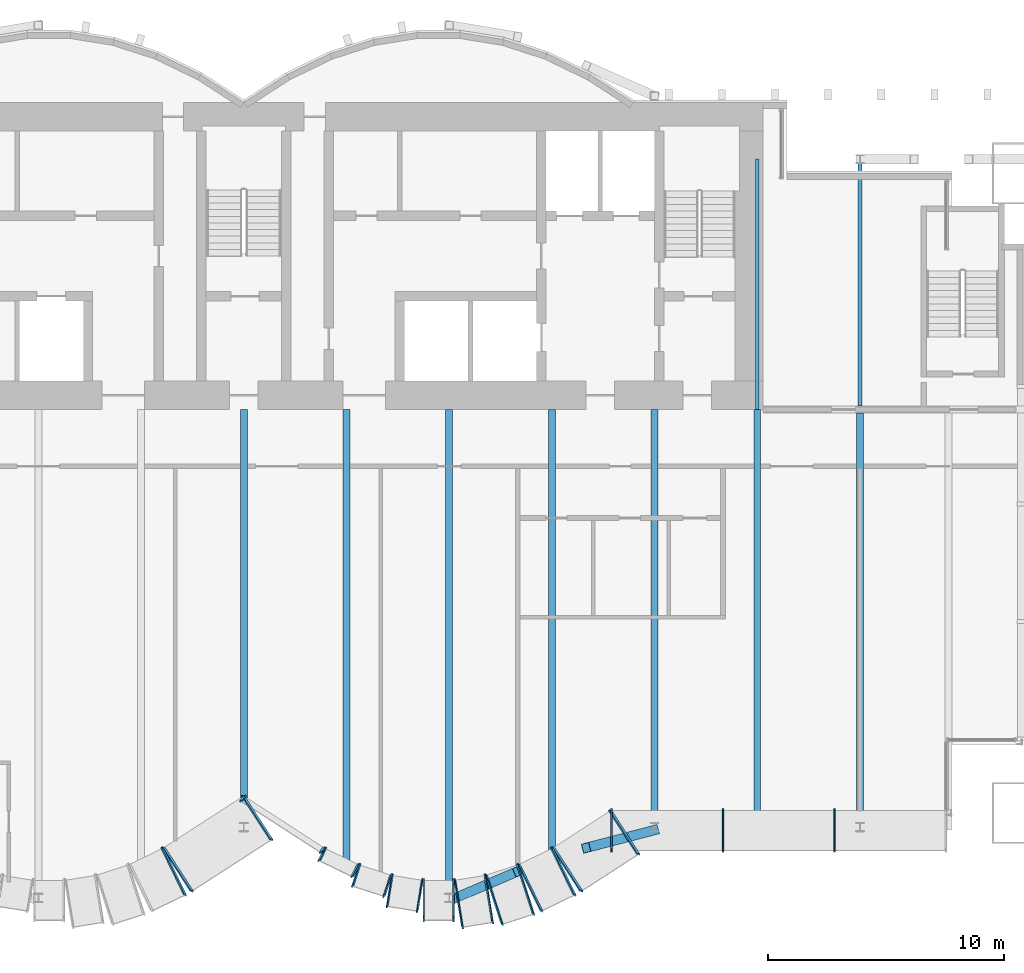
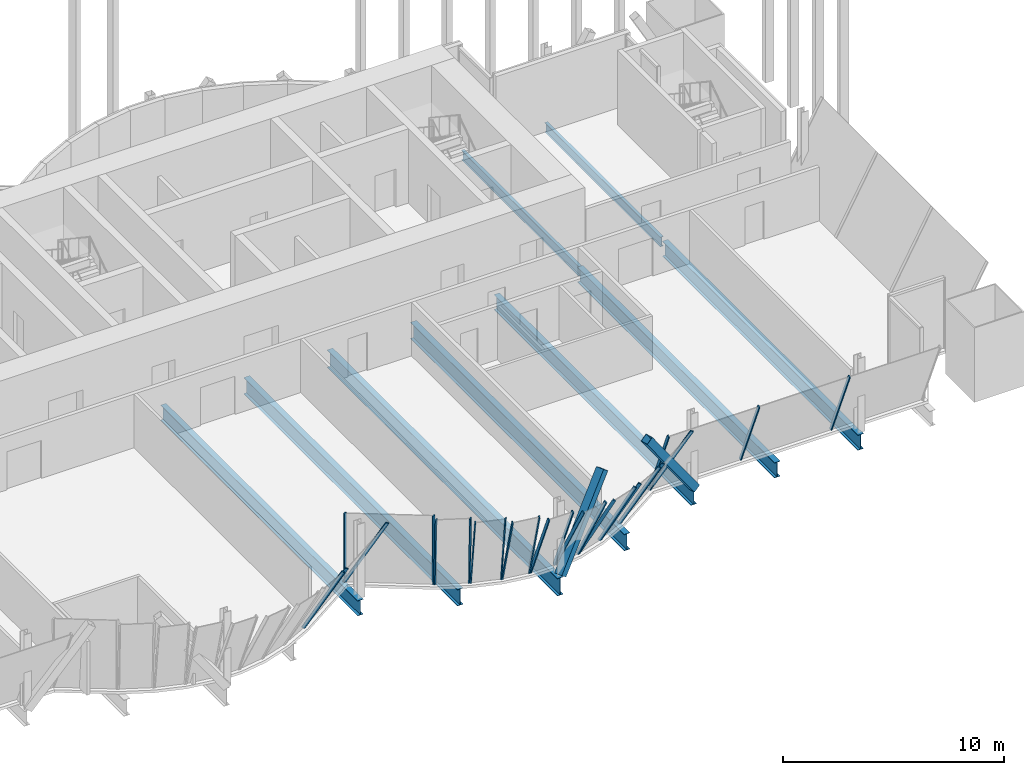
# One storey, part 12 of 29: 26 members, 9 beams, 12 elements without a shape of their own.
"""IFC4 building model written with IfcOpenShell, lengths in metres."""

from ifc_helpers import new_model, si_unit, direction, frame, origin, origin_2d, place, context, subcontext, project, spatial, rectangle, hollow_rectangle, i_section, extrude, material, material_profile, profile_set, type_object, element, aggregate, save


model = new_model("IFC4")

# Units and contexts
model_context = context("Model", 3, precision=1e-05, world=origin(), true_north=direction((0.0, 1.0)))
body_context = subcontext(model_context, "Body", "Model", "MODEL_VIEW")
ifc_project = project(units=[si_unit("LENGTHUNIT", "METRE"), si_unit("AREAUNIT", "SQUARE_METRE"), si_unit("VOLUMEUNIT", "CUBIC_METRE"), si_unit("PLANEANGLEUNIT", "RADIAN"), si_unit("MASSUNIT", "GRAM", prefix="KILO")], contexts=[model_context])

# Site, building, storey
site_placement = place(None, origin())
site = spatial("IfcSite", under=ifc_project, at=site_placement, CompositionType="ELEMENT")
building_placement = place(site_placement, origin())
building = spatial("IfcBuilding", under=site, at=building_placement, Name="Bicima Exchange Tower", CompositionType="ELEMENT")
storey_placement = place(building_placement, frame((0.0, 0.0, 190.89990234375)))
storey = spatial("IfcBuildingStorey", under=building, at=storey_placement, Name="L42", CompositionType="ELEMENT", Elevation=190.89990234375)

# Beams
ifc_material_1 = material(Name="Steel ASTM A992 Gr 50", Category="steel")
ifc_material_profile_1 = material_profile(ifc_material_1, i_section(OverallWidth=0.165771484375, OverallDepth=0.5283203125, WebThickness=0.009765625, FlangeThickness=0.013671875, at=origin_2d()))
ifc_profile_set_1 = profile_set([ifc_material_profile_1], Name="Steel ASTM A992 Gr 50")
beam_type_1 = type_object("IfcBeamType", Name="Floor beam W21x50", PredefinedType="JOIST", material=ifc_profile_set_1)
beam_1_placement = place(storey_placement, frame((21.75, -2.39990234375, -0.4140625), z_axis=(0.0, -1.0, 0.0), x_axis=(1.0, 0.0, 0.0)))
element("IfcBeam", 1, at=beam_1_placement, inside=storey, type_object=beam_type_1, Name="Floor beam", PredefinedType="JOIST", context=body_context, shape_type="SweptSolid", body=[
    extrude(i_section(OverallWidth=0.165771484375, OverallDepth=0.5283203125, WebThickness=0.009765625, FlangeThickness=0.013671875, at=origin_2d()), origin(), (0.0, 0.0, 1.0), 10.60009765625),
])
beam_2_placement = place(storey_placement, frame((26.10009765625, -2.39990234375, -0.4140625), z_axis=(0.0, -1.0, 0.0), x_axis=(1.0, 0.0, 0.0)))
element("IfcBeam", 2, at=beam_2_placement, inside=storey, type_object=beam_type_1, Name="Floor beam", PredefinedType="JOIST", context=body_context, shape_type="SweptSolid", body=[
    extrude(i_section(OverallWidth=0.165771484375, OverallDepth=0.5283203125, WebThickness=0.009765625, FlangeThickness=0.013671875, at=origin_2d()), origin(), (0.0, 0.0, 1.0), 10.44775390625),
])
ifc_material_profile_2 = material_profile(ifc_material_1, i_section(OverallWidth=0.2919921875, OverallDepth=0.835693359375, WebThickness=0.013916015625, FlangeThickness=0.018798828125, at=origin_2d()))
ifc_profile_set_2 = profile_set([ifc_material_profile_2], Name="Steel ASTM A992 Gr 50")
beam_type_2 = type_object("IfcBeamType", Name="Floor beam W33x118", PredefinedType="JOIST", material=ifc_profile_set_2)
for number, where, z_axis, x_axis, name in (
    (3, (0.0, -13.0, -0.567626953125), (0.0, -1.0, 0.0), (1.0, 0.0, 0.0), "Floor beam"),
    (4, (17.39990234375, -13.0, -0.567626953125), (0.0, -1.0, 0.0), (1.0, 0.0, 0.0), "Floor beam"),
    (5, (21.75, -13.0, -0.567626953125), (0.0, -1.0, 0.0), (1.0, 0.0, 0.0), "Floor beam"),
):
    element("IfcBeam", number, at=place(storey_placement, frame(where, z_axis=z_axis, x_axis=x_axis)), inside=storey, type_object=beam_type_2, Name=name, PredefinedType="JOIST", context=body_context, shape_type="SweptSolid", body=[
        extrude(i_section(OverallWidth=0.2919921875, OverallDepth=0.835693359375, WebThickness=0.013916015625, FlangeThickness=0.018798828125, at=origin_2d()), origin(), (0.0, 0.0, 1.0), 17.81591796875),
    ])
beam_3_placement = place(storey_placement, frame((26.10009765625, -13.15234375, -0.567626953125), z_axis=(0.0, -1.0, 0.0), x_axis=(1.0, 0.0, 0.0)))
element("IfcBeam", 6, at=beam_3_placement, inside=storey, type_object=beam_type_2, Name="Floor beam", PredefinedType="JOIST", context=body_context, shape_type="SweptSolid", body=[
    extrude(i_section(OverallWidth=0.2919921875, OverallDepth=0.835693359375, WebThickness=0.013916015625, FlangeThickness=0.018798828125, at=origin_2d()), origin(), (0.0, 0.0, 1.0), 17.66357421875),
])
ifc_material_profile_3 = material_profile(ifc_material_1, i_section(OverallWidth=0.3046875, OverallDepth=0.904296875, WebThickness=0.01513671875, FlangeThickness=0.02001953125, at=origin_2d()))
ifc_profile_set_3 = profile_set([ifc_material_profile_3], Name="Steel ASTM A992 Gr 50")
beam_type_3 = type_object("IfcBeamType", Name="Floor beam W36x135", PredefinedType="JOIST", material=ifc_profile_set_3)
for number, where, z_axis, x_axis, name in (
    (7, (4.35009765625, -13.0, -0.60205078125), (0.0, -1.0, 0.0), (1.0, 0.0, 0.0), "Floor beam"),
    (8, (13.050048828125, -13.0, -0.60205078125), (0.0, -1.0, 0.0), (1.0, 0.0, 0.0), "Floor beam"),
):
    element("IfcBeam", number, at=place(storey_placement, frame(where, z_axis=z_axis, x_axis=x_axis)), inside=storey, type_object=beam_type_3, Name=name, PredefinedType="JOIST", context=body_context, shape_type="SweptSolid", body=[
        extrude(i_section(OverallWidth=0.3046875, OverallDepth=0.904296875, WebThickness=0.01513671875, FlangeThickness=0.02001953125, at=origin_2d()), origin(), (0.0, 0.0, 1.0), 19.3115234375),
    ])
ifc_material_profile_4 = material_profile(ifc_material_1, i_section(OverallWidth=0.2998046875, OverallDepth=0.97021484375, WebThickness=0.01611328125, FlangeThickness=0.02099609375, at=origin_2d()))
ifc_profile_set_4 = profile_set([ifc_material_profile_4], Name="Steel ASTM A992 Gr 50")
beam_type_4 = type_object("IfcBeamType", Name="Floor beam W40x149", PredefinedType="JOIST", material=ifc_profile_set_4)
beam_4_placement = place(storey_placement, frame((8.699951171875, -13.0, -0.635009765625), z_axis=(0.0, -1.0, 0.0), x_axis=(1.0, 0.0, 0.0)))
element("IfcBeam", 9, at=beam_4_placement, inside=storey, type_object=beam_type_4, Name="Floor beam", PredefinedType="JOIST", context=body_context, shape_type="SweptSolid", body=[
    extrude(i_section(OverallWidth=0.2998046875, OverallDepth=0.97021484375, WebThickness=0.01611328125, FlangeThickness=0.02099609375, at=origin_2d()), origin(), (0.0, 0.0, 1.0), 20.80712890625),
])

# Curtain wall, member
ifc_material_2 = material(Name="Anodised bronze aluminium", Category="aluminium")
curtain_wall_type = type_object("IfcCurtainWallType", Name="Front glass wall", PredefinedType="NOTDEFINED", material=ifc_material_2)
curtain_wall_1_placement = place(storey_placement, origin())
curtain_wall_1 = element("IfcCurtainWall", 10, at=curtain_wall_1_placement, inside=storey, type_object=curtain_wall_type, Name="Canted glass wall L42 43.1", PredefinedType="NOTDEFINED")
ifc_material_profile_5 = material_profile(ifc_material_2, rectangle(XDim=0.159912109375, YDim=0.06005859375, at=origin_2d()))
ifc_profile_set_5 = profile_set([ifc_material_profile_5], Name="Anodised bronze aluminium")
member_type_1 = type_object("IfcMemberType", Name="Front glass wall mullion 60 x 160", PredefinedType="MULLION", material=ifc_profile_set_5)
member_1_placement = place(storey_placement, frame((-3.447509765625, -31.59423828125, 0.0), z_axis=(0.211468405272, -0.436234670385, 0.874631594402), x_axis=(-0.735862958837, 0.517894230961, 0.436223877554)))
member_1 = element("IfcMember", 11, at=member_1_placement, type_object=member_type_1, Name="Canted glass mullion 2", PredefinedType="MULLION", context=body_context, shape_type="SweptSolid", body=[
    extrude(rectangle(XDim=0.159912109375, YDim=0.06005859375, at=origin_2d()), origin(), (0.0, 0.0, 1.0), 4.516357421875),
])
aggregate(curtain_wall_1, [member_1])

# Curtain wall, members
curtain_wall_2_placement = place(storey_placement, origin())
curtain_wall_2 = element("IfcCurtainWall", 12, at=curtain_wall_2_placement, inside=storey, type_object=curtain_wall_type, Name="Canted glass wall L42 44.1", PredefinedType="NOTDEFINED")
member_2_placement = place(storey_placement, frame((-3.3955078125, -31.56494140625, 0.0), z_axis=(0.263202446928, -0.407101587147, 0.874638650914), x_axis=(-0.854710803456, 0.322068996881, 0.407113010973)))
member_2 = element("IfcMember", 13, at=member_2_placement, type_object=member_type_1, Name="Canted glass mullion 1", PredefinedType="MULLION", context=body_context, shape_type="SweptSolid", body=[
    extrude(rectangle(XDim=0.159912109375, YDim=0.06005859375, at=origin_2d()), origin(), (0.0, 0.0, 1.0), 4.516357421875),
])
member_3_placement = place(storey_placement, frame((-0.025146484375, -29.385986328125, 0.0), z_axis=(0.263196654544, -0.407146683513, 0.874619402449), x_axis=(-0.854682529275, 0.322107162289, 0.407142174375)))
member_3 = element("IfcMember", 14, at=member_3_placement, type_object=member_type_1, Name="Canted glass mullion 2", PredefinedType="MULLION", context=body_context, shape_type="SweptSolid", body=[
    extrude(rectangle(XDim=0.159912109375, YDim=0.06005859375, at=origin_2d()), origin(), (0.0, 0.0, 1.0), 4.516357421875),
])
aggregate(curtain_wall_2, [member_2, member_3])

curtain_wall_3_placement = place(storey_placement, origin())
curtain_wall_3 = element("IfcCurtainWall", 15, at=curtain_wall_3_placement, inside=storey, type_object=curtain_wall_type, Name="Canted glass wall L42 45.1", PredefinedType="NOTDEFINED")
member_4_placement = place(storey_placement, frame((0.025146484375, -29.385986328125, 0.0), z_axis=(-0.032758330639, -0.050772327902, 0.99817286203), x_axis=(0.910653445096, 0.410043224291, 0.050743050243)))
member_4 = element("IfcMember", 16, at=member_4_placement, type_object=member_type_1, Name="Canted glass mullion 1", PredefinedType="MULLION", context=body_context, shape_type="SweptSolid", body=[
    extrude(rectangle(XDim=0.159912109375, YDim=0.06005859375, at=origin_2d()), origin(), (0.0, 0.0, 1.0), 3.95751953125),
])
member_5_placement = place(storey_placement, frame((3.3955078125, -31.56494140625, 0.0), z_axis=(-0.032820058759, -0.050710692293, 0.998173967518), x_axis=(0.911231977344, 0.408757853479, 0.050727711218)))
member_5 = element("IfcMember", 17, at=member_5_placement, type_object=member_type_1, Name="Canted glass mullion 2", PredefinedType="MULLION", context=body_context, shape_type="SweptSolid", body=[
    extrude(rectangle(XDim=0.159912109375, YDim=0.06005859375, at=origin_2d()), origin(), (0.0, 0.0, 1.0), 3.95751953125),
])
aggregate(curtain_wall_3, [member_4, member_5])

curtain_wall_4_placement = place(storey_placement, origin())
curtain_wall_4 = element("IfcCurtainWall", 18, at=curtain_wall_4_placement, inside=storey, type_object=curtain_wall_type, Name="Canted glass wall L42 46.1", PredefinedType="NOTDEFINED")
member_6_placement = place(storey_placement, frame((3.447509765625, -31.59423828125, 0.0), z_axis=(-0.062452607082, -0.128819971122, 0.989699493235), x_axis=(0.781051508244, 0.611035322991, 0.128819158228)))
member_6 = element("IfcMember", 19, at=member_6_placement, type_object=member_type_1, Name="Canted glass mullion 1", PredefinedType="MULLION", context=body_context, shape_type="SweptSolid", body=[
    extrude(rectangle(XDim=0.159912109375, YDim=0.06005859375, at=origin_2d()), origin(), (0.0, 0.0, 1.0), 3.9912109375),
])
member_7_placement = place(storey_placement, frame((4.8466796875, -32.272705078125, 0.0), z_axis=(-0.062452607082, -0.128819971122, 0.989699493235), x_axis=(0.781051508244, 0.611035322991, 0.128819158228)))
member_7 = element("IfcMember", 20, at=member_7_placement, type_object=member_type_1, Name="Canted glass mullion 2", PredefinedType="MULLION", context=body_context, shape_type="SweptSolid", body=[
    extrude(rectangle(XDim=0.159912109375, YDim=0.06005859375, at=origin_2d()), origin(), (0.0, 0.0, 1.0), 3.9912109375),
])
aggregate(curtain_wall_4, [member_6, member_7])

curtain_wall_5_placement = place(storey_placement, origin())
curtain_wall_5 = element("IfcCurtainWall", 21, at=curtain_wall_5_placement, inside=storey, type_object=curtain_wall_type, Name="Canted glass wall L42 47.1", PredefinedType="NOTDEFINED")
member_8_placement = place(storey_placement, frame((4.90234375, -32.294921875, 0.0), z_axis=(-0.071018549868, -0.219730551413, 0.972972173472), x_axis=(0.577402534066, 0.786337207926, 0.219727351699)))
member_8 = element("IfcMember", 22, at=member_8_placement, type_object=member_type_1, Name="Canted glass mullion 1", PredefinedType="MULLION", context=body_context, shape_type="SweptSolid", body=[
    extrude(rectangle(XDim=0.159912109375, YDim=0.06005859375, at=origin_2d()), origin(), (0.0, 0.0, 1.0), 4.059814453125),
])
member_9_placement = place(storey_placement, frame((6.230224609375, -32.72412109375, 0.0), z_axis=(-0.071018549868, -0.219730551413, 0.972972173472), x_axis=(0.577402534066, 0.786337207926, 0.219727351699)))
member_9 = element("IfcMember", 23, at=member_9_placement, type_object=member_type_1, Name="Canted glass mullion 2", PredefinedType="MULLION", context=body_context, shape_type="SweptSolid", body=[
    extrude(rectangle(XDim=0.159912109375, YDim=0.06005859375, at=origin_2d()), origin(), (0.0, 0.0, 1.0), 4.059814453125),
])
aggregate(curtain_wall_5, [member_8, member_9])

curtain_wall_6_placement = place(storey_placement, origin())
curtain_wall_6 = element("IfcCurtainWall", 24, at=curtain_wall_6_placement, inside=storey, type_object=curtain_wall_type, Name="Canted glass wall L42 48.1", PredefinedType="NOTDEFINED")
member_10_placement = place(storey_placement, frame((6.288330078125, -32.73828125, 0.0), z_axis=(-0.050535241989, -0.312532917682, 0.948561734777), x_axis=(0.306995075409, 0.89893019655, 0.312535638616)))
member_10 = element("IfcMember", 25, at=member_10_placement, type_object=member_type_1, Name="Canted glass mullion 1", PredefinedType="MULLION", context=body_context, shape_type="SweptSolid", body=[
    extrude(rectangle(XDim=0.159912109375, YDim=0.06005859375, at=origin_2d()), origin(), (0.0, 0.0, 1.0), 4.164306640625),
])
member_11_placement = place(storey_placement, frame((7.56298828125, -32.944091796875, 0.0), z_axis=(-0.050534315999, -0.312585815439, 0.948544353677), x_axis=(0.306965770827, 0.898922330314, 0.312587043244)))
member_11 = element("IfcMember", 26, at=member_11_placement, type_object=member_type_1, Name="Canted glass mullion 2", PredefinedType="MULLION", context=body_context, shape_type="SweptSolid", body=[
    extrude(rectangle(XDim=0.159912109375, YDim=0.06005859375, at=origin_2d()), origin(), (0.0, 0.0, 1.0), 4.16455078125),
])
aggregate(curtain_wall_6, [member_10, member_11])

curtain_wall_7_placement = place(storey_placement, origin())
curtain_wall_7 = element("IfcCurtainWall", 27, at=curtain_wall_7_placement, inside=storey, type_object=curtain_wall_type, Name="Canted glass wall L42 49.1", PredefinedType="NOTDEFINED")
member_12_placement = place(storey_placement, frame((7.62255859375, -32.948974609375, 0.0), z_axis=(0.0, -0.392560507207, 0.91972618109), x_axis=(0.0, 0.91972618109, 0.392560507207)))
member_12 = element("IfcMember", 28, at=member_12_placement, type_object=member_type_1, Name="Canted glass mullion 1", PredefinedType="MULLION", context=body_context, shape_type="SweptSolid", body=[
    extrude(rectangle(XDim=0.159912109375, YDim=0.06005859375, at=origin_2d()), origin(), (0.0, 0.0, 1.0), 4.294921875),
])
member_13_placement = place(storey_placement, frame((8.87744140625, -32.948974609375, 0.0), z_axis=(0.0, -0.392560507207, 0.91972618109), x_axis=(0.0, 0.91972618109, 0.392560507207)))
member_13 = element("IfcMember", 29, at=member_13_placement, type_object=member_type_1, Name="Canted glass mullion 2", PredefinedType="MULLION", context=body_context, shape_type="SweptSolid", body=[
    extrude(rectangle(XDim=0.159912109375, YDim=0.06005859375, at=origin_2d()), origin(), (0.0, 0.0, 1.0), 4.294921875),
])
aggregate(curtain_wall_7, [member_12, member_13])

curtain_wall_8_placement = place(storey_placement, origin())
curtain_wall_8 = element("IfcCurtainWall", 30, at=curtain_wall_8_placement, inside=storey, type_object=curtain_wall_type, Name="Canted glass wall L42 50.1", PredefinedType="NOTDEFINED")
member_14_placement = place(storey_placement, frame((8.93701171875, -32.944091796875, 0.0), z_axis=(0.072377237493, -0.447758419774, 0.891220473853), x_axis=(-0.297916477124, 0.843064635547, 0.447758632466)))
member_14 = element("IfcMember", 31, at=member_14_placement, type_object=member_type_1, Name="Canted glass mullion 1", PredefinedType="MULLION", context=body_context, shape_type="SweptSolid", body=[
    extrude(rectangle(XDim=0.159912109375, YDim=0.06005859375, at=origin_2d()), origin(), (0.0, 0.0, 1.0), 4.432373046875),
])
member_15_placement = place(storey_placement, frame((10.211669921875, -32.73828125, 0.0), z_axis=(0.072379022508, -0.447714379714, 0.891242453712), x_axis=(-0.297936279173, 0.843080281656, 0.447715995064)))
member_15 = element("IfcMember", 32, at=member_15_placement, type_object=member_type_1, Name="Canted glass mullion 2", PredefinedType="MULLION", context=body_context, shape_type="SweptSolid", body=[
    extrude(rectangle(XDim=0.159912109375, YDim=0.06005859375, at=origin_2d()), origin(), (0.0, 0.0, 1.0), 4.43212890625),
])
aggregate(curtain_wall_8, [member_14, member_15])

curtain_wall_9_placement = place(storey_placement, origin())
curtain_wall_9 = element("IfcCurtainWall", 33, at=curtain_wall_9_placement, inside=storey, type_object=curtain_wall_type, Name="Canted glass wall L42 51.1", PredefinedType="NOTDEFINED")
member_16_placement = place(storey_placement, frame((10.269775390625, -32.72412109375, 0.0), z_axis=(0.149085846677, -0.461312043344, 0.874622552297), x_axis=(-0.548603486377, 0.697305738941, 0.461301334459)))
member_16 = element("IfcMember", 34, at=member_16_placement, type_object=member_type_1, Name="Canted glass mullion 1", PredefinedType="MULLION", context=body_context, shape_type="SweptSolid", body=[
    extrude(rectangle(XDim=0.159912109375, YDim=0.06005859375, at=origin_2d()), origin(), (0.0, 0.0, 1.0), 4.516357421875),
])
member_17_placement = place(storey_placement, frame((11.59765625, -32.294921875, 0.0), z_axis=(0.149085846677, -0.461312043344, 0.874622552297), x_axis=(-0.548603486377, 0.697305738941, 0.461301334459)))
member_17 = element("IfcMember", 35, at=member_17_placement, type_object=member_type_1, Name="Canted glass mullion 2", PredefinedType="MULLION", context=body_context, shape_type="SweptSolid", body=[
    extrude(rectangle(XDim=0.159912109375, YDim=0.06005859375, at=origin_2d()), origin(), (0.0, 0.0, 1.0), 4.516357421875),
])
aggregate(curtain_wall_9, [member_16, member_17])

curtain_wall_10_placement = place(storey_placement, origin())
curtain_wall_10 = element("IfcCurtainWall", 36, at=curtain_wall_10_placement, inside=storey, type_object=curtain_wall_type, Name="Canted glass wall L42 52.1", PredefinedType="NOTDEFINED")
member_18_placement = place(storey_placement, frame((11.6533203125, -32.272705078125, 0.0), z_axis=(0.211468405272, -0.436234670385, 0.874631594402), x_axis=(-0.735862958837, 0.517894230961, 0.436223877554)))
member_18 = element("IfcMember", 37, at=member_18_placement, type_object=member_type_1, Name="Canted glass mullion 1", PredefinedType="MULLION", context=body_context, shape_type="SweptSolid", body=[
    extrude(rectangle(XDim=0.159912109375, YDim=0.06005859375, at=origin_2d()), origin(), (0.0, 0.0, 1.0), 4.516357421875),
])
member_19_placement = place(storey_placement, frame((13.052490234375, -31.59423828125, 0.0), z_axis=(0.211468405272, -0.436234670385, 0.874631594402), x_axis=(-0.735862958837, 0.517894230961, 0.436223877554)))
member_19 = element("IfcMember", 38, at=member_19_placement, type_object=member_type_1, Name="Canted glass mullion 2", PredefinedType="MULLION", context=body_context, shape_type="SweptSolid", body=[
    extrude(rectangle(XDim=0.159912109375, YDim=0.06005859375, at=origin_2d()), origin(), (0.0, 0.0, 1.0), 4.516357421875),
])
aggregate(curtain_wall_10, [member_18, member_19])

curtain_wall_11_placement = place(storey_placement, origin())
curtain_wall_11 = element("IfcCurtainWall", 39, at=curtain_wall_11_placement, inside=storey, type_object=curtain_wall_type, Name="Canted glass wall L42 53.1", PredefinedType="NOTDEFINED")
member_20_placement = place(storey_placement, frame((13.1044921875, -31.56494140625, 0.0), z_axis=(0.263202446928, -0.407101587147, 0.874638650914), x_axis=(-0.854710022542, 0.322070488642, 0.407113470316)))
member_20 = element("IfcMember", 40, at=member_20_placement, type_object=member_type_1, Name="Canted glass mullion 1", PredefinedType="MULLION", context=body_context, shape_type="SweptSolid", body=[
    extrude(rectangle(XDim=0.159912109375, YDim=0.06005859375, at=origin_2d()), origin(), (0.0, 0.0, 1.0), 4.516357421875),
])
member_21_placement = place(storey_placement, frame((15.521728515625, -30.002197265625, 0.0), z_axis=(0.263196654544, -0.407146683513, 0.874619402449), x_axis=(-0.85468174826, 0.322108653987, 0.407142633752)))
member_21 = element("IfcMember", 41, at=member_21_placement, type_object=member_type_1, Name="Canted glass mullion 2", PredefinedType="MULLION", context=body_context, shape_type="SweptSolid", body=[
    extrude(rectangle(XDim=0.159912109375, YDim=0.06005859375, at=origin_2d()), origin(), (0.0, 0.0, 1.0), 4.516357421875),
])
aggregate(curtain_wall_11, [member_20, member_21])

curtain_wall_12_placement = place(storey_placement, origin())
curtain_wall_12 = element("IfcCurtainWall", 42, at=curtain_wall_12_placement, inside=storey, type_object=curtain_wall_type, Name="Canted glass wall L42 54.1", PredefinedType="NOTDEFINED")
member_22_placement = place(storey_placement, frame((15.576904296875, -29.986083984375, 0.0), z_axis=(0.0, -0.392560507207, 0.91972618109), x_axis=(0.0, 0.91972618109, 0.392560507207)))
member_22 = element("IfcMember", 43, at=member_22_placement, type_object=member_type_1, Name="Canted glass mullion 1", PredefinedType="MULLION", context=body_context, shape_type="SweptSolid", body=[
    extrude(rectangle(XDim=0.159912109375, YDim=0.06005859375, at=origin_2d()), origin(), (0.0, 0.0, 1.0), 4.294921875),
])
member_23_placement = place(storey_placement, frame((20.2978515625, -29.986083984375, 0.0), z_axis=(0.0, -0.392560507207, 0.91972618109), x_axis=(0.0, 0.91972618109, 0.392560507207)))
member_23 = element("IfcMember", 44, at=member_23_placement, type_object=member_type_1, Name="Canted glass mullion 2", PredefinedType="MULLION", context=body_context, shape_type="SweptSolid", body=[
    extrude(rectangle(XDim=0.159912109375, YDim=0.06005859375, at=origin_2d()), origin(), (0.0, 0.0, 1.0), 4.294921875),
])
member_24_placement = place(storey_placement, frame((25.01904296875, -29.986083984375, 0.0), z_axis=(0.0, -0.392560507207, 0.91972618109), x_axis=(0.0, 0.91972618109, 0.392560507207)))
member_24 = element("IfcMember", 45, at=member_24_placement, type_object=member_type_1, Name="Canted glass mullion 3", PredefinedType="MULLION", context=body_context, shape_type="SweptSolid", body=[
    extrude(rectangle(XDim=0.159912109375, YDim=0.06005859375, at=origin_2d()), origin(), (0.0, 0.0, 1.0), 4.294921875),
])
aggregate(curtain_wall_12, [member_22, member_23, member_24])

# Members
ifc_material_3 = material(Name="Steel ASTM A572 Gr 50", Category="steel")
ifc_material_profile_6 = material_profile(ifc_material_3, hollow_rectangle(XDim=0.406494140625, YDim=0.406494140625, WallThickness=0.0146484375, at=origin_2d()))
ifc_profile_set_6 = profile_set([ifc_material_profile_6], Name="Steel ASTM A572 Gr 50")
member_type_2 = type_object("IfcMemberType", Name="Mega brace HSS16x16x5/8", PredefinedType="BRACE", material=ifc_profile_set_6)
member_25_placement = place(storey_placement, frame((8.699951171875, -33.80712890625, 0.0), z_axis=(0.560607084875, 0.239929827385, 0.792561274804), x_axis=(-0.393461568723, 0.919341065078, 0.0)))
element("IfcMember", 46, at=member_25_placement, inside=storey, type_object=member_type_2, Name="Mega brace front", PredefinedType="BRACE", context=body_context, shape_type="SweptSolid", body=[
    extrude(hollow_rectangle(XDim=0.406494140625, YDim=0.406494140625, WallThickness=0.0146484375, at=origin_2d()), origin(), (0.0, 0.0, 1.0), 5.17333984375),
])
member_26_placement = place(storey_placement, frame((17.39990234375, -30.81591796875, 0.0), z_axis=(-0.571056012695, -0.148316871457, 0.807401471392), x_axis=(0.251383493766, -0.9678875653, 0.0)))
element("IfcMember", 47, at=member_26_placement, inside=storey, type_object=member_type_2, Name="Mega brace front", PredefinedType="BRACE", context=body_context, shape_type="SweptSolid", body=[
    extrude(hollow_rectangle(XDim=0.406494140625, YDim=0.406494140625, WallThickness=0.0146484375, at=origin_2d()), origin(), (0.0, 0.0, 1.0), 5.078125),
])

save(model, "model.ifc")
